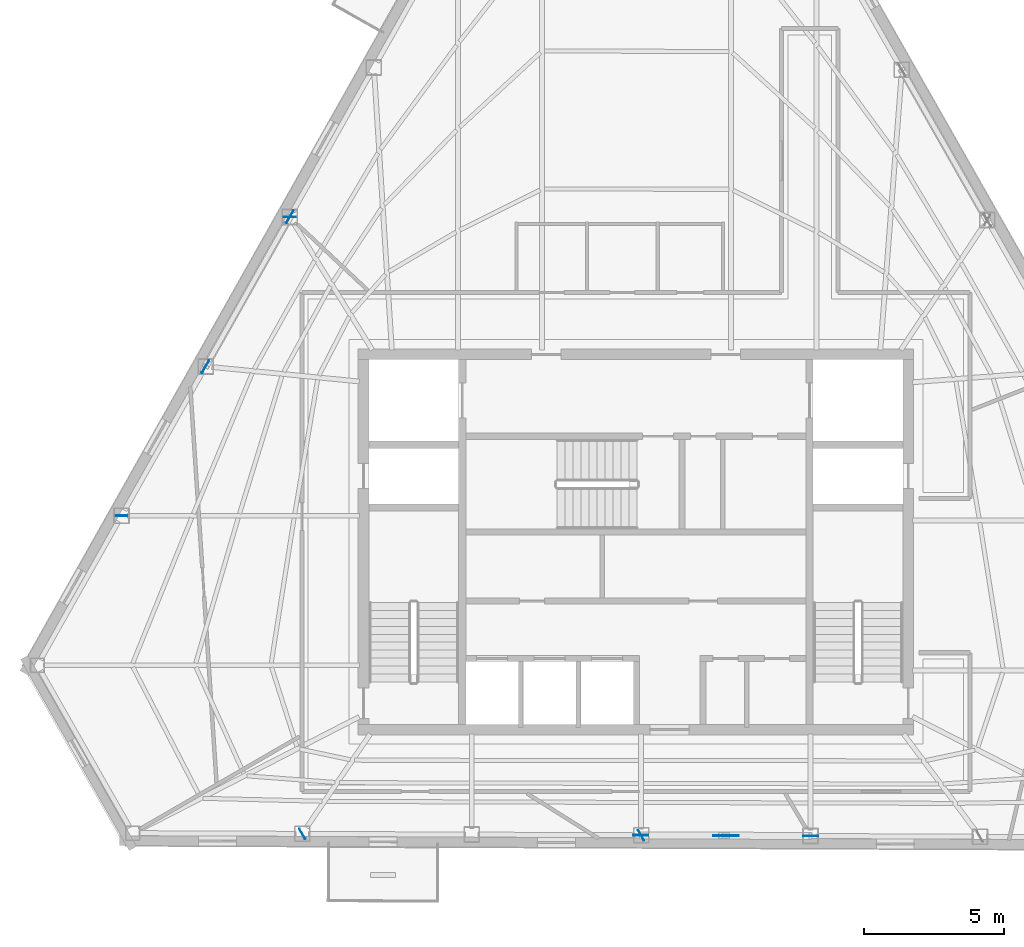
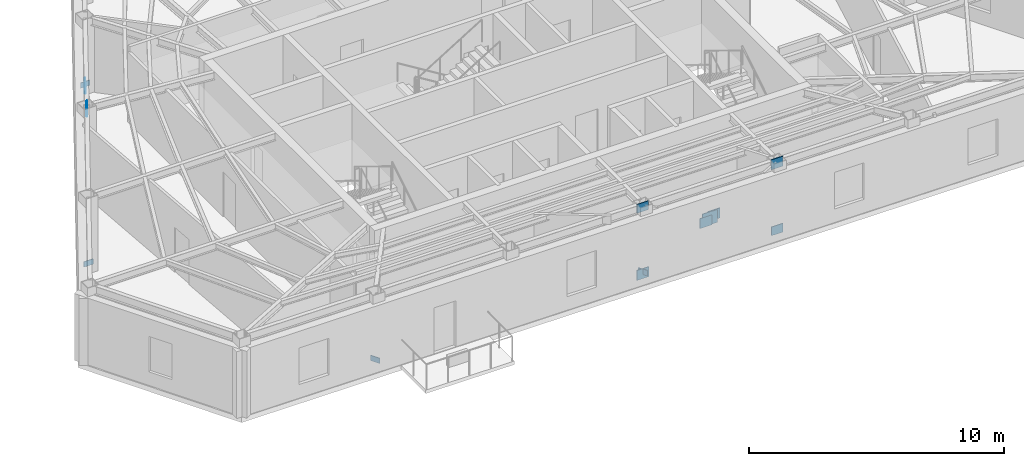
# One storey, part 4 of 10: 13 plates.
"""IFC4 building model written with IfcOpenShell, lengths in metres."""

from ifc_helpers import new_model, si_unit, direction, frame, origin, origin_2d, place, context, subcontext, project, spatial, rectangle, extrude, material, layer, layer_set, type_object, element, save


model = new_model("IFC4")

# Units and contexts
model_context = context("Model", 3, precision=1e-05, world=origin(), true_north=direction((0.0, 1.0)))
body_context = subcontext(model_context, "Body", "Model", "MODEL_VIEW")
ifc_project = project(units=[si_unit("LENGTHUNIT", "METRE"), si_unit("AREAUNIT", "SQUARE_METRE"), si_unit("VOLUMEUNIT", "CUBIC_METRE"), si_unit("PLANEANGLEUNIT", "RADIAN"), si_unit("MASSUNIT", "GRAM", prefix="KILO")], contexts=[model_context])

# Site, building, storey
site_placement = place(None, origin())
site = spatial("IfcSite", under=ifc_project, at=site_placement, CompositionType="ELEMENT")
building_placement = place(site_placement, origin())
building = spatial("IfcBuilding", under=site, at=building_placement, Name="Kavelnor Concourse Tower", CompositionType="ELEMENT")
storey_placement = place(building_placement, frame((0.0, 0.0, 239.5)))
storey = spatial("IfcBuildingStorey", under=building, at=storey_placement, Name="L60", CompositionType="ELEMENT", Elevation=239.5)

# Plates
ifc_material = material(Name="Steel Grade 350", Category="steel")
ifc_layer_1 = layer(ifc_material, 0.031982421875, Name="Steel Grade 350")
ifc_layer_set_1 = layer_set([ifc_layer_1], Name="Steel Grade 350")
plate_type_1 = type_object("IfcPlateType", Name="PL-GUSSET-TUBE-Z1", PredefinedType="USERDEFINED", material=ifc_layer_set_1)
for number, where, z_axis, x_axis, name in (
    (1, (25.666015625, 27.6962890625, 0.010009765625), (0.0, 0.0, 1.0), (-0.490599612724, -0.871385115776, 0.0), "L60 Tube Brace Gusset GP3 F0-B3 End Gusset A"),
    (2, (22.655029296875, 22.3486328125, 3.197021484375), (0.0, 0.0, 1.0), (-0.490599612724, -0.871385115776, 0.0), "L60 Tube Brace Gusset GP3 F0-B3 End Gusset B"),
    (3, (44.239990234375, 5.6171875, 0.010009765625), (0.0, 0.0, 1.0), (-0.999991227031, 0.004188777955, 0.0), "L60 Tube Brace Gusset GP3 F1-B3 End Gusset A"),
    (4, (38.17578125, 5.642822265625, 3.197021484375), (0.0, 0.0, 1.0), (-0.999991227031, 0.004188777955, 0.0), "L60 Tube Brace Gusset GP3 F1-B3 End Gusset B"),
):
    element("IfcPlate", number, at=place(storey_placement, frame(where, z_axis=z_axis, x_axis=x_axis)), inside=storey, type_object=plate_type_1, Name=name, ObjectType="GUSSET_PLATE", PredefinedType="USERDEFINED", context=body_context, shape_type="SweptSolid", body=[
        extrude(rectangle(XDim=0.52001953125, YDim=0.031982421875, at=origin_2d()), origin(), (0.0, 0.0, 1.0), 0.419921875),
    ])
for number, where, z_axis, x_axis, name in (
    (5, (38.17578125, 5.642822265625, -0.02001953125), (0.0, 0.0, 1.0), (0.999991227031, -0.004188777955, 0.0), "L60 X-Brace Lower Gusset F1-B3 End Gusset A"),
    (6, (41.025390625, 5.630859375, 1.470703125), (0.0, 0.0, 1.0), (0.999991227031, -0.004188777955, 0.0), "L60 X-Brace Lower Gusset F1-B3 End Gusset B"),
    (7, (41.390380859375, 5.62939453125, 1.67626953125), (0.0, 0.0, 1.0), (0.999991227031, -0.004188777955, 0.0), "L60 X-Brace Upper Gusset F1-B3 End Gusset A"),
    (8, (44.239990234375, 5.6171875, 3.1669921875), (0.0, 0.0, 1.0), (0.999991227031, -0.004188777955, 0.0), "L60 X-Brace Upper Gusset F1-B3 End Gusset B"),
):
    element("IfcPlate", number, at=place(storey_placement, frame(where, z_axis=z_axis, x_axis=x_axis)), inside=storey, type_object=plate_type_1, Name=name, ObjectType="GUSSET_PLATE", PredefinedType="USERDEFINED", context=body_context, shape_type="SweptSolid", body=[
        extrude(rectangle(XDim=0.5400390625, YDim=0.031982421875, at=origin_2d()), origin(), (0.0, 0.0, 1.0), 0.47998046875),
    ])
plate_placement = place(storey_placement, frame((41.2080078125, 5.630126953125, 1.50341796875), z_axis=(0.0, 0.0, 1.0), x_axis=(0.999991227031, -0.004188777955, 0.0)))
element("IfcPlate", 9, at=plate_placement, inside=storey, type_object=plate_type_1, Name="L60 Tube X-Brace Central Crossing Gusset GP3 F1-B3", ObjectType="GUSSET_PLATE", PredefinedType="USERDEFINED", context=body_context, shape_type="SweptSolid", body=[
    extrude(rectangle(XDim=0.679931640625, YDim=0.031982421875, at=origin_2d()), origin(), (0.0, 0.0, 1.0), 0.6201171875),
])
ifc_layer_2 = layer(ifc_material, 0.02490234375, Name="Steel Grade 350")
ifc_layer_set_2 = layer_set([ifc_layer_2], Name="Steel Grade 350")
plate_type_2 = type_object("IfcPlateType", Name="PL-SPLICE-FLANGE", PredefinedType="SHEET", material=ifc_layer_set_2)
for number, where, z_axis, x_axis, name in (
    (10, (25.66015625, 27.685791015625, 0.169921875), (0.0, 0.0, 1.0), (1.0, 0.0, 0.0), "L60 Column Flange Splice Plate F0-B3"),
    (11, (19.66162109375, 17.032470703125, 0.169921875), (0.0, 0.0, 1.0), (1.0, 0.0, 0.0), "L60 Column Flange Splice Plate F0-B5"),
    (12, (26.106689453125, 5.693603515625, 0.169921875), (0.0, 0.0, 1.0), (-0.5, 0.866025403784, 0.0), "L60 Column Flange Splice Plate F1-B1"),
    (13, (38.187744140625, 5.642822265625, 0.169921875), (0.0, 0.0, 1.0), (-0.5, 0.866025403784, 0.0), "L60 Column Flange Splice Plate F1-B3"),
):
    element("IfcPlate", number, at=place(storey_placement, frame(where, z_axis=z_axis, x_axis=x_axis)), inside=storey, type_object=plate_type_2, Name=name, PredefinedType="SHEET", context=body_context, shape_type="SweptSolid", body=[
        extrude(rectangle(XDim=0.419921875, YDim=0.02490234375, at=origin_2d()), origin(), (0.0, 0.0, 1.0), 0.260009765625),
    ])

save(model, "model.ifc")
